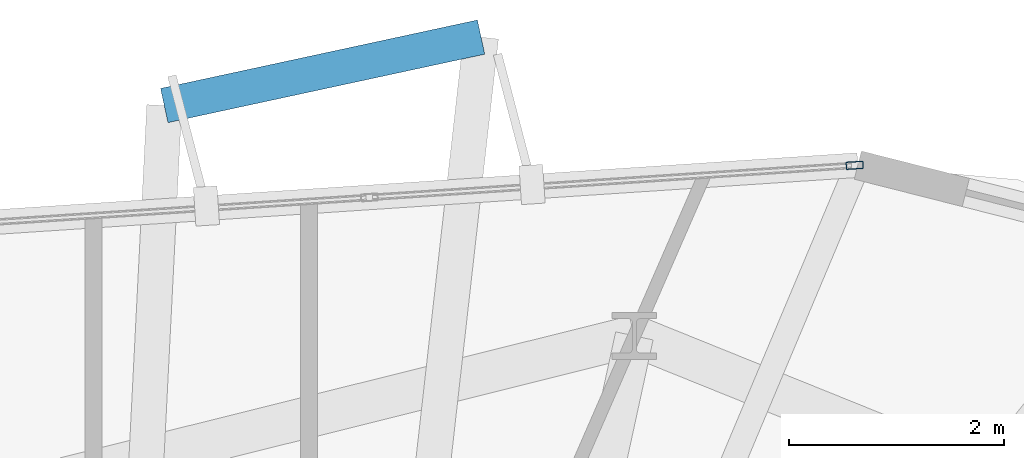
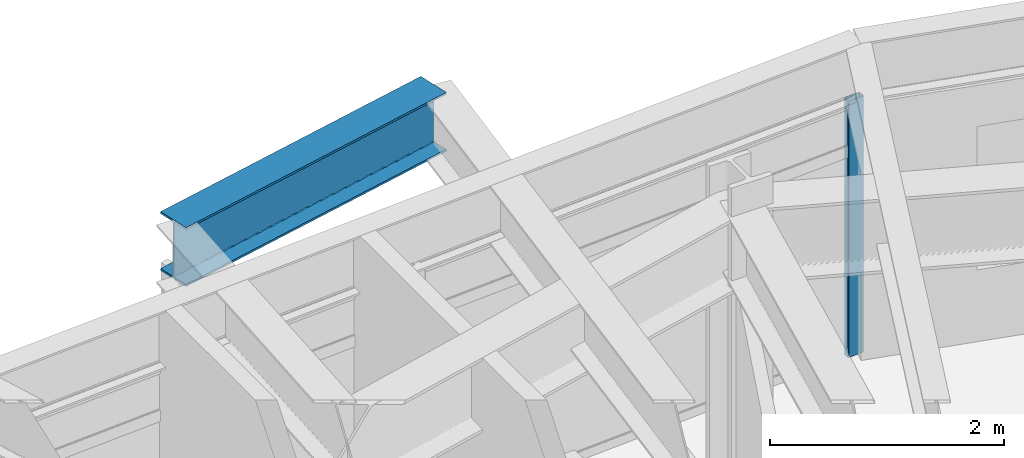
# One storey, part 16 of 24: 1 beam, 1 member, 1 element without a shape of its own.
"""IFC4 building model written with IfcOpenShell, lengths in metres."""

from ifc_helpers import new_model, si_unit, direction, frame, origin, origin_2d, place, context, subcontext, project, spatial, hollow_rectangle, i_section, extrude, material, layer, layer_set, material_profile, profile_set, type_object, element, aggregate, save


model = new_model("IFC4")

# Units and contexts
model_context = context("Model", 3, precision=1e-05, world=origin(), true_north=direction((0.0, 1.0)))
body_context = subcontext(model_context, "Body", "Model", "MODEL_VIEW")
ifc_project = project(units=[si_unit("LENGTHUNIT", "METRE"), si_unit("AREAUNIT", "SQUARE_METRE"), si_unit("VOLUMEUNIT", "CUBIC_METRE"), si_unit("PLANEANGLEUNIT", "RADIAN"), si_unit("MASSUNIT", "GRAM", prefix="KILO")], contexts=[model_context])

# Site, building, storey
site_placement = place(None, origin())
site = spatial("IfcSite", under=ifc_project, at=site_placement, CompositionType="ELEMENT")
building_placement = place(site_placement, origin())
building = spatial("IfcBuilding", under=site, at=building_placement, Name="Soratama Intermodal Tower", CompositionType="ELEMENT")
storey_placement = place(building_placement, frame((0.0, 0.0, 178.60009765625)))
storey = spatial("IfcBuildingStorey", under=building, at=storey_placement, Name="L44", CompositionType="ELEMENT", Elevation=178.60009765625)

# Beam
ifc_material_1 = material(Name="Structural steel ASTM A992 Grade 50", Category="steel")
ifc_material_profile_1 = material_profile(ifc_material_1, i_section(OverallWidth=0.324951171875, OverallDepth=0.615966796875, WebThickness=0.013916015625, FlangeThickness=0.021484375, FilletRadius=0.013916015625, at=origin_2d()), Name="W24X117")
ifc_profile_set_1 = profile_set([ifc_material_profile_1], Name="Structural steel ASTM A992 Grade 50")
beam_type = type_object("IfcBeamType", Name="BM-CANT-W24X117", PredefinedType="BEAM", material=ifc_profile_set_1)
beam_placement = place(storey_placement, frame((44.798095703125, 45.22998046875, 2.991943359375), z_axis=(-0.977462623116, -0.211108551252, 0.0), x_axis=(0.211108551252, -0.977462623116, 0.0)))
element("IfcBeam", 1, at=beam_placement, inside=storey, type_object=beam_type, Name="BM-L44-CBHDR-2", PredefinedType="BEAM", context=body_context, shape_type="SweptSolid", body=[
    extrude(i_section(OverallWidth=0.324951171875, OverallDepth=0.615966796875, WebThickness=0.013916015625, FlangeThickness=0.021484375, FilletRadius=0.013916015625, at=origin_2d()), origin(), (0.0, 0.0, 1.0), 3.008056640625),
])

# Curtain wall, member
ifc_material_2 = material(Name="Double-glazed aluminium curtain wall", Category="aluminium")
ifc_layer = layer(ifc_material_2, 0.159912109375)
ifc_layer_set = layer_set([ifc_layer], Name="Double-glazed aluminium curtain wall")
curtain_wall_type = type_object("IfcCurtainWallType", Name="CW-SYS-4", PredefinedType="NOTDEFINED", material=ifc_layer_set)
curtain_wall_placement = place(storey_placement, origin())
curtain_wall = element("IfcCurtainWall", 2, at=curtain_wall_placement, inside=storey, type_object=curtain_wall_type, Name="L44 Faceted Curtain Wall F02", PredefinedType="NOTDEFINED")
ifc_material_3 = material(Name="Anodised aluminium AA 6063-T6", Category="aluminium")
ifc_material_profile_2 = material_profile(ifc_material_3, hollow_rectangle(XDim=0.070068359375, YDim=0.159912109375, WallThickness=0.0048828125, InnerFilletRadius=0.0048828125, OuterFilletRadius=0.010009765625, at=origin_2d()), Name="CWM160X70X5")
ifc_profile_set_2 = profile_set([ifc_material_profile_2], Name="Anodised aluminium AA 6063-T6")
member_type = type_object("IfcMemberType", Name="MT-CWM-4", PredefinedType="MULLION", material=ifc_profile_set_2)
member_placement = place(storey_placement, frame((48.265380859375, 44.0400390625, 0.0), z_axis=(0.0, 0.0, 1.0), x_axis=(0.065918605192, -0.99782500344, 0.0)))
member = element("IfcMember", 3, at=member_placement, type_object=member_type, Name="CW-4 mullion 1", PredefinedType="MULLION", context=body_context, shape_type="SweptSolid", body=[
    extrude(hollow_rectangle(XDim=0.070068359375, YDim=0.159912109375, WallThickness=0.0048828125, InnerFilletRadius=0.0048828125, OuterFilletRadius=0.010009765625, at=origin_2d()), origin(), (0.0, 0.0, 1.0), 2.678955078125),
])
aggregate(curtain_wall, [member])

save(model, "model.ifc")
